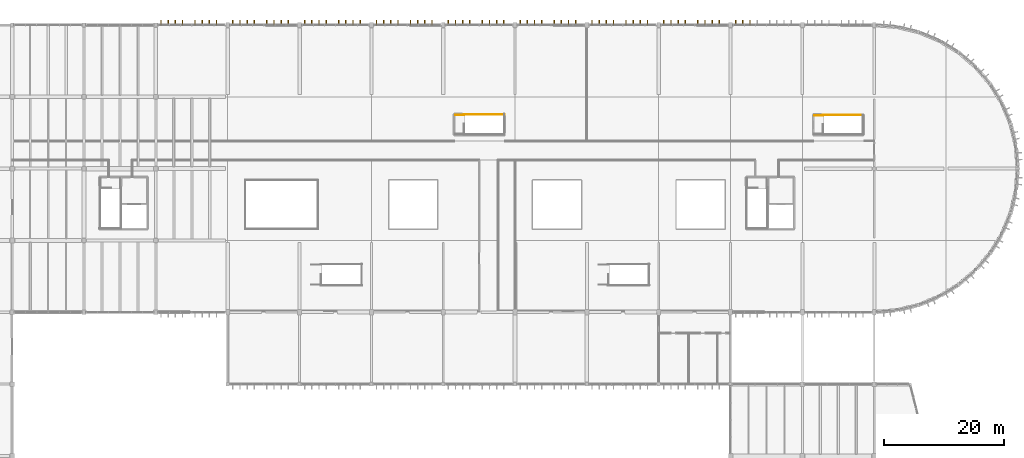
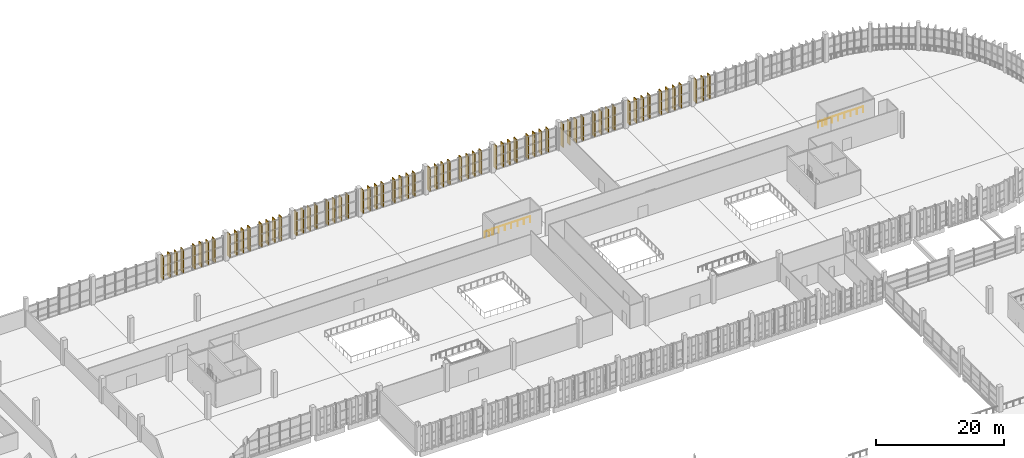
# One storey, part 111 of 112: 67 coverings, 4 railings.
"""IFC4 building model written with IfcOpenShell, lengths in metres."""

import ifcopenshell
import ifcopenshell.guid

model = None  # the IFC model being written
_history = None  # IfcOwnerHistory: only IFC2X3 demands one
_inside = {}  # id of a spatial element -> (the spatial element, [elements in it])
_under = {}  # id of a project, library or spatial element -> (it, [spatial elements below it])
_declared = {}  # id of a project -> (the project, [libraries it declares])
_typed = {}  # id of a type object -> (the type object, [elements of that type])
_made_of = {}  # id of a material, layer set ... -> (it, [elements and type objects made of it])


def new_model(schema):
    """Start an empty IFC model of exactly this schema.

    Asked for "IFC4X3", IfcOpenShell would pick the latest addendum, in which some entities
    have other attributes; the version numbers below select the first issue.
    IFC2X3 requires an IfcOwnerHistory on every rooted entity: one is made here for all.
    """
    global model, _history
    if schema == "IFC4X3":
        model = ifcopenshell.file(schema_version=(4, 3, 0, 0))
    else:
        model = ifcopenshell.file(schema=schema)
    _inside.clear()
    _under.clear()
    _declared.clear()
    _typed.clear()
    _made_of.clear()
    _history = None
    if model.schema == "IFC2X3":
        org = make("IfcOrganization", Name="unknown")
        user = make(
            "IfcPersonAndOrganization",
            ThePerson=make("IfcPerson", FamilyName="unknown"),
            TheOrganization=org,
        )
        app = make(
            "IfcApplication",
            ApplicationDeveloper=org,
            Version="unknown",
            ApplicationFullName="unknown",
            ApplicationIdentifier="unknown",
        )
        _history = make(
            "IfcOwnerHistory",
            OwningUser=user,
            OwningApplication=app,
            ChangeAction="ADDED",
            CreationDate=0,
        )
    return model


def make(cls, **values):
    """One entity of the class cls with the attributes given. An attribute that is None is left unset."""
    return model.create_entity(
        cls, **{name: value for name, value in values.items() if value is not None}
    )


def rooted(cls, **values):
    """An entity with a GlobalId (a new one), such as an element, a storey or a relation."""
    return make(cls, GlobalId=ifcopenshell.guid.new(), OwnerHistory=_history, **values)


def si_unit(unit_type, name, prefix=None):
    """IfcSIUnit, for example si_unit("LENGTHUNIT", "METRE", prefix="MILLI")."""
    return make("IfcSIUnit", UnitType=unit_type, Prefix=prefix, Name=name)


def assignment(units):
    """IfcUnitAssignment: the units of a project."""
    return None if units is None else make("IfcUnitAssignment", Units=units)


def point(xyz):
    """IfcCartesianPoint."""
    return None if xyz is None else make("IfcCartesianPoint", Coordinates=xyz)


def direction(xyz):
    """IfcDirection."""
    return None if xyz is None else make("IfcDirection", DirectionRatios=xyz)


def frame(location, z_axis=None, x_axis=None):
    """IfcAxis2Placement3D, a coordinate frame: its origin and axes. An axis left out is left unset."""
    return make(
        "IfcAxis2Placement3D",
        Location=point(location),
        Axis=direction(z_axis),
        RefDirection=direction(x_axis),
    )


def frame_2d(location, x_axis=None):
    """IfcAxis2Placement2D, a coordinate frame in the plane: its origin and x axis."""
    return make(
        "IfcAxis2Placement2D", Location=point(location), RefDirection=direction(x_axis)
    )


def origin():
    """The frame at (0, 0, 0) with its axes left unset."""
    return frame((0.0, 0.0, 0.0))


def origin_2d():
    """The frame at (0, 0) in the plane with its x axis left unset."""
    return frame_2d((0.0, 0.0))


def place(relative_to, where):
    """IfcLocalPlacement: puts the frame where relative to a parent placement (None: the world)."""
    return make(
        "IfcLocalPlacement", PlacementRelTo=relative_to, RelativePlacement=where
    )


def context(
    kind, dimensions, precision=None, world=None, true_north=None, identifier=None
):
    """IfcGeometricRepresentationContext, for example the 3D "Model" context."""
    return make(
        "IfcGeometricRepresentationContext",
        ContextIdentifier=identifier,
        ContextType=kind,
        CoordinateSpaceDimension=dimensions,
        Precision=precision,
        WorldCoordinateSystem=world,
        TrueNorth=true_north,
    )


def subcontext(parent, identifier, kind, view, scale=None):
    """IfcGeometricRepresentationSubContext, for example "Body" below "Model"."""
    return make(
        "IfcGeometricRepresentationSubContext",
        ContextIdentifier=identifier,
        ContextType=kind,
        ParentContext=parent,
        TargetScale=scale,
        TargetView=view,
    )


def project(units=None, contexts=None):
    """IfcProject with its units and contexts."""
    return rooted(
        "IfcProject",
        Name="project",
        RepresentationContexts=contexts,
        UnitsInContext=assignment(units),
    )


def spatial(cls, under=None, at=None, **own):
    """A site, building, storey or space (cls), placed at a placement, below another one or the project."""
    s = rooted(cls, ObjectPlacement=at, **own)
    if under is not None:
        _under.setdefault(under.id(), (under, []))[1].append(s)
    return s


def profile(cls, at=None, kind="AREA", **sizes):
    """A parametric profile (cls). Its sizes go by their IFC names, for example OverallWidth=200.0."""
    return make(cls, ProfileType=kind, Position=at, **sizes)


def rectangle(**sizes):
    """IfcRectangleProfileDef."""
    return profile("IfcRectangleProfileDef", **sizes)


def circle(**sizes):
    """IfcCircleProfileDef."""
    return profile("IfcCircleProfileDef", **sizes)


def extrude(swept, where, along, depth):
    """IfcExtrudedAreaSolid: the profile swept, set in the frame where, extruded along a direction by depth."""
    return make(
        "IfcExtrudedAreaSolid",
        SweptArea=swept,
        Position=where,
        ExtrudedDirection=direction(along),
        Depth=depth,
    )


def shape(context_of_items, identifier, shape_type, items):
    """IfcShapeRepresentation: the items that make up one representation, for example the "Body"."""
    return make(
        "IfcShapeRepresentation",
        ContextOfItems=context_of_items,
        RepresentationIdentifier=identifier,
        RepresentationType=shape_type,
        Items=items,
    )


def material(Name=None, Category=None):
    """IfcMaterial."""
    return make("IfcMaterial", Name=Name, Category=Category)


def layer(
    of_material, thickness, ventilated=None, Name=None, Category=None, Priority=None
):
    """IfcMaterialLayer: one layer of a wall or slab, of a material (None: an air gap)."""
    return make(
        "IfcMaterialLayer",
        Material=of_material,
        LayerThickness=thickness,
        IsVentilated=ventilated,
        Name=Name,
        Category=Category,
        Priority=Priority,
    )


def layer_set(layers, Name=None):
    """IfcMaterialLayerSet."""
    return make("IfcMaterialLayerSet", MaterialLayers=layers, LayerSetName=Name)


def made_of(thing, what):
    """Note that an element or type object is made of a material, layer set ...; save() writes the relation."""
    if what is not None:
        _made_of.setdefault(what.id(), (what, []))[1].append(thing)
    return thing


def type_object(cls, material=None, **own):
    """A type object (cls), such as IfcWallType, which elements share."""
    return made_of(rooted(cls, **own), material)


def element(
    cls,
    number,
    at=None,
    inside=None,
    cuts=None,
    type_object=None,
    material=None,
    context=None,
    identifier="Body",
    shape_type=None,
    held_by="IfcProductDefinitionShape",
    body=None,
    shapes=None,
    **own,
):
    """One element of the class cls, such as IfcWall. Its Tag is "e" and its number.

    at: its placement. inside: the storey or other place that contains it. cuts: it is an
    opening in that element (IfcRelVoidsElement). A single representation is given by context,
    identifier, shape_type and body (its items); several are given by shapes. held_by: the class
    of the entity that holds the representations. save() writes the other relations.
    """
    e = rooted(cls, Tag="e%d" % number, ObjectPlacement=at, **own)
    if body is not None:
        shapes = [shape(context, identifier, shape_type, body)]
    if shapes is not None:
        e.Representation = make(held_by, Representations=shapes)
    if inside is not None:
        _inside.setdefault(inside.id(), (inside, []))[1].append(e)
    if cuts is not None:
        rooted(
            "IfcRelVoidsElement", RelatingBuildingElement=cuts, RelatedOpeningElement=e
        )
    if type_object is not None:
        _typed.setdefault(type_object.id(), (type_object, []))[1].append(e)
    return made_of(e, material)


def aggregate(whole, parts):
    """IfcRelAggregates: a whole, such as a stair, and the parts it consists of."""
    return rooted("IfcRelAggregates", RelatingObject=whole, RelatedObjects=parts)


def save(model, path):
    """Write the relations noted so far, then the file.

    IfcRelAggregates (storeys below a building ...), IfcRelContainedInSpatialStructure (elements
    in a storey), IfcRelDefinesByType, IfcRelAssociatesMaterial and IfcRelDeclares: one each for
    every whole, place, type object, material and project.
    """
    for whole, parts in _under.values():
        aggregate(whole, parts)
    for where, things in _inside.values():
        rooted(
            "IfcRelContainedInSpatialStructure",
            RelatedElements=things,
            RelatingStructure=where,
        )
    for kind, things in _typed.values():
        rooted("IfcRelDefinesByType", RelatedObjects=things, RelatingType=kind)
    for what, things in _made_of.values():
        rooted("IfcRelAssociatesMaterial", RelatedObjects=things, RelatingMaterial=what)
    for by, libraries in _declared.values():
        rooted("IfcRelDeclares", RelatingContext=by, RelatedDefinitions=libraries)
    model.write(path)


model = new_model("IFC4")

# Units and contexts
model_context = context("Model", 3, precision=1e-05, world=origin(), true_north=direction((0.0, 1.0)))
body_context = subcontext(model_context, "Body", "Model", "MODEL_VIEW")
ifc_project = project(units=[si_unit("LENGTHUNIT", "METRE"), si_unit("AREAUNIT", "SQUARE_METRE"), si_unit("VOLUMEUNIT", "CUBIC_METRE"), si_unit("PLANEANGLEUNIT", "RADIAN"), si_unit("MASSUNIT", "GRAM", prefix="KILO")], contexts=[model_context])

# Site, building, storey
site_placement = place(None, origin())
site = spatial("IfcSite", under=ifc_project, at=site_placement, CompositionType="ELEMENT")
building_placement = place(site_placement, origin())
building = spatial("IfcBuilding", under=site, at=building_placement, Name="Kamomehara Wholesale Market", CompositionType="ELEMENT")
storey_placement = place(building_placement, frame((0.0, 0.0, 6.60009765625)))
storey = spatial("IfcBuildingStorey", under=building, at=storey_placement, Name="L01", CompositionType="ELEMENT", Elevation=6.60009765625)

# Coverings
ifc_material_1 = material(Name="Anodised aluminium 6063-T5 Spectrum Red", Category="aluminium")
ifc_layer_1 = layer(ifc_material_1, 0.134033203125)
ifc_layer_set_1 = layer_set([ifc_layer_1], Name="Anodised aluminium 6063-T5 Spectrum Red")
covering_type_1 = type_object("IfcCoveringType", Name="COV-CLD-01", PredefinedType="CLADDING", material=ifc_layer_set_1)
for number, where, z_axis, x_axis, name in (
    (1, (60.85009765625, 156.405029296875, 0.0), (0.0, 0.0, 1.0), (1.0, 0.0, 0.0), "Polychrome spectrum fin N 1"),
    (2, (70.1298828125, 156.405029296875, 0.0), (0.0, 0.0, 1.0), (1.0, 0.0, 0.0), "Polychrome spectrum fin N 8"),
    (3, (79.72998046875, 156.405029296875, 0.0), (0.0, 0.0, 1.0), (1.0, 0.0, 0.0), "Polychrome spectrum fin N 22"),
    (4, (88.449951171875, 156.405029296875, 0.0), (0.0, 0.0, 1.0), (1.0, 0.0, 0.0), "Polychrome spectrum fin N 36"),
    (5, (98.050048828125, 156.405029296875, 0.0), (0.0, 0.0, 1.0), (1.0, 0.0, 0.0), "Polychrome spectrum fin N 50"),
    (6, (116.929931640625, 156.405029296875, 0.0), (0.0, 0.0, 1.0), (1.0, 0.0, 0.0), "Polychrome spectrum fin N 71"),
    (7, (126.530029296875, 156.405029296875, 0.0), (0.0, 0.0, 1.0), (1.0, 0.0, 0.0), "Polychrome spectrum fin N 85"),
    (8, (135.25, 156.405029296875, 0.0), (0.0, 0.0, 1.0), (1.0, 0.0, 0.0), "Polychrome spectrum fin N 99"),
    (9, (144.85009765625, 156.405029296875, 0.0), (0.0, 0.0, 1.0), (1.0, 0.0, 0.0), "Polychrome spectrum fin N 113"),
    (10, (154.1298828125, 156.405029296875, 0.0), (0.0, 0.0, 1.0), (1.0, 0.0, 0.0), "Polychrome spectrum fin N 120"),
):
    element("IfcCovering", number, at=place(storey_placement, frame(where, z_axis=z_axis, x_axis=x_axis)), inside=storey, type_object=covering_type_1, Name=name, PredefinedType="CLADDING", context=body_context, shape_type="SweptSolid", body=[
        extrude(rectangle(XDim=0.134033203125, YDim=0.85009765625, at=origin_2d()), origin(), (0.0, 0.0, 1.0), 4.5),
    ])
ifc_material_2 = material(Name="Anodised aluminium 6063-T5 Spectrum Orange", Category="aluminium")
ifc_layer_2 = layer(ifc_material_2, 0.135986328125)
ifc_layer_set_2 = layer_set([ifc_layer_2], Name="Anodised aluminium 6063-T5 Spectrum Orange")
covering_type_2 = type_object("IfcCoveringType", Name="COV-CLD-02", PredefinedType="CLADDING", material=ifc_layer_set_2)
for number, where, z_axis, x_axis, name in (
    (11, (62.050048828125, 156.405029296875, 0.0), (0.0, 0.0, 1.0), (1.0, 0.0, 0.0), "Polychrome spectrum fin N 2"),
    (12, (80.929931640625, 156.405029296875, 0.0), (0.0, 0.0, 1.0), (1.0, 0.0, 0.0), "Polychrome spectrum fin N 23"),
    (13, (90.530029296875, 156.405029296875, 0.0), (0.0, 0.0, 1.0), (1.0, 0.0, 0.0), "Polychrome spectrum fin N 37"),
    (14, (99.25, 156.405029296875, 0.0), (0.0, 0.0, 1.0), (1.0, 0.0, 0.0), "Polychrome spectrum fin N 51"),
    (15, (108.85009765625, 156.405029296875, 0.0), (0.0, 0.0, 1.0), (1.0, 0.0, 0.0), "Polychrome spectrum fin N 65"),
    (16, (118.1298828125, 156.405029296875, 0.0), (0.0, 0.0, 1.0), (1.0, 0.0, 0.0), "Polychrome spectrum fin N 72"),
    (17, (127.72998046875, 156.405029296875, 0.0), (0.0, 0.0, 1.0), (1.0, 0.0, 0.0), "Polychrome spectrum fin N 86"),
    (18, (136.449951171875, 156.405029296875, 0.0), (0.0, 0.0, 1.0), (1.0, 0.0, 0.0), "Polychrome spectrum fin N 100"),
    (19, (146.050048828125, 156.405029296875, 0.0), (0.0, 0.0, 1.0), (1.0, 0.0, 0.0), "Polychrome spectrum fin N 114"),
):
    element("IfcCovering", number, at=place(storey_placement, frame(where, z_axis=z_axis, x_axis=x_axis)), inside=storey, type_object=covering_type_2, Name=name, PredefinedType="CLADDING", context=body_context, shape_type="SweptSolid", body=[
        extrude(rectangle(XDim=0.135986328125, YDim=0.85009765625, at=origin_2d()), origin(), (0.0, 0.0, 1.0), 4.5),
    ])
ifc_material_3 = material(Name="Anodised aluminium 6063-T5 Spectrum Amber", Category="aluminium")
ifc_layer_3 = layer(ifc_material_3, 0.137939453125)
ifc_layer_set_3 = layer_set([ifc_layer_3], Name="Anodised aluminium 6063-T5 Spectrum Amber")
covering_type_3 = type_object("IfcCoveringType", Name="COV-CLD-03", PredefinedType="CLADDING", material=ifc_layer_set_3)
for number, where, z_axis, x_axis, name in (
    (20, (63.25, 156.405029296875, 0.0), (0.0, 0.0, 1.0), (1.0, 0.0, 0.0), "Polychrome spectrum fin N 3"),
    (21, (72.85009765625, 156.405029296875, 0.0), (0.0, 0.0, 1.0), (1.0, 0.0, 0.0), "Polychrome spectrum fin N 17"),
    (22, (82.1298828125, 156.405029296875, 0.0), (0.0, 0.0, 1.0), (1.0, 0.0, 0.0), "Polychrome spectrum fin N 24"),
    (23, (91.72998046875, 156.405029296875, 0.0), (0.0, 0.0, 1.0), (1.0, 0.0, 0.0), "Polychrome spectrum fin N 38"),
    (24, (100.449951171875, 156.405029296875, 0.0), (0.0, 0.0, 1.0), (1.0, 0.0, 0.0), "Polychrome spectrum fin N 52"),
    (25, (110.050048828125, 156.405029296875, 0.0), (0.0, 0.0, 1.0), (1.0, 0.0, 0.0), "Polychrome spectrum fin N 66"),
    (26, (128.929931640625, 156.405029296875, 0.0), (0.0, 0.0, 1.0), (1.0, 0.0, 0.0), "Polychrome spectrum fin N 87"),
    (27, (138.530029296875, 156.405029296875, 0.0), (0.0, 0.0, 1.0), (1.0, 0.0, 0.0), "Polychrome spectrum fin N 101"),
    (28, (147.25, 156.405029296875, 0.0), (0.0, 0.0, 1.0), (1.0, 0.0, 0.0), "Polychrome spectrum fin N 115"),
    (29, (156.85009765625, 156.405029296875, 0.0), (0.0, 0.0, 1.0), (1.0, 0.0, 0.0), "Polychrome spectrum fin N 129"),
):
    element("IfcCovering", number, at=place(storey_placement, frame(where, z_axis=z_axis, x_axis=x_axis)), inside=storey, type_object=covering_type_3, Name=name, PredefinedType="CLADDING", context=body_context, shape_type="SweptSolid", body=[
        extrude(rectangle(XDim=0.137939453125, YDim=0.85009765625, at=origin_2d()), origin(), (0.0, 0.0, 1.0), 4.5),
    ])
ifc_material_4 = material(Name="Anodised aluminium 6063-T5 Spectrum Green", Category="aluminium")
ifc_layer_4 = layer(ifc_material_4, 0.139892578125)
ifc_layer_set_4 = layer_set([ifc_layer_4], Name="Anodised aluminium 6063-T5 Spectrum Green")
covering_type_4 = type_object("IfcCoveringType", Name="COV-CLD-04", PredefinedType="CLADDING", material=ifc_layer_set_4)
for number, where, z_axis, x_axis, name in (
    (30, (64.449951171875, 156.405029296875, 0.0), (0.0, 0.0, 1.0), (1.0, 0.0, 0.0), "Polychrome spectrum fin N 4"),
    (31, (74.050048828125, 156.405029296875, 0.0), (0.0, 0.0, 1.0), (1.0, 0.0, 0.0), "Polychrome spectrum fin N 18"),
    (32, (92.929931640625, 156.405029296875, 0.0), (0.0, 0.0, 1.0), (1.0, 0.0, 0.0), "Polychrome spectrum fin N 39"),
    (33, (102.530029296875, 156.405029296875, 0.0), (0.0, 0.0, 1.0), (1.0, 0.0, 0.0), "Polychrome spectrum fin N 53"),
    (34, (111.25, 156.405029296875, 0.0), (0.0, 0.0, 1.0), (1.0, 0.0, 0.0), "Polychrome spectrum fin N 67"),
    (35, (120.85009765625, 156.405029296875, 0.0), (0.0, 0.0, 1.0), (1.0, 0.0, 0.0), "Polychrome spectrum fin N 81"),
    (36, (130.1298828125, 156.405029296875, 0.0), (0.0, 0.0, 1.0), (1.0, 0.0, 0.0), "Polychrome spectrum fin N 88"),
    (37, (139.72998046875, 156.405029296875, 0.0), (0.0, 0.0, 1.0), (1.0, 0.0, 0.0), "Polychrome spectrum fin N 102"),
    (38, (148.449951171875, 156.405029296875, 0.0), (0.0, 0.0, 1.0), (1.0, 0.0, 0.0), "Polychrome spectrum fin N 116"),
    (39, (158.050048828125, 156.405029296875, 0.0), (0.0, 0.0, 1.0), (1.0, 0.0, 0.0), "Polychrome spectrum fin N 130"),
):
    element("IfcCovering", number, at=place(storey_placement, frame(where, z_axis=z_axis, x_axis=x_axis)), inside=storey, type_object=covering_type_4, Name=name, PredefinedType="CLADDING", context=body_context, shape_type="SweptSolid", body=[
        extrude(rectangle(XDim=0.139892578125, YDim=0.85009765625, at=origin_2d()), origin(), (0.0, 0.0, 1.0), 4.5),
    ])
ifc_material_5 = material(Name="Anodised aluminium 6063-T5 Spectrum Cyan", Category="aluminium")
ifc_layer_5 = layer(ifc_material_5, 0.14208984375)
ifc_layer_set_5 = layer_set([ifc_layer_5], Name="Anodised aluminium 6063-T5 Spectrum Cyan")
covering_type_5 = type_object("IfcCoveringType", Name="COV-CLD-05", PredefinedType="CLADDING", material=ifc_layer_set_5)
for number, where, z_axis, x_axis, name in (
    (40, (66.530029296875, 156.405029296875, 0.0), (0.0, 0.0, 1.0), (1.0, 0.0, 0.0), "Polychrome spectrum fin N 5"),
    (41, (75.25, 156.405029296875, 0.0), (0.0, 0.0, 1.0), (1.0, 0.0, 0.0), "Polychrome spectrum fin N 19"),
    (42, (84.85009765625, 156.405029296875, 0.0), (0.0, 0.0, 1.0), (1.0, 0.0, 0.0), "Polychrome spectrum fin N 33"),
    (43, (94.1298828125, 156.405029296875, 0.0), (0.0, 0.0, 1.0), (1.0, 0.0, 0.0), "Polychrome spectrum fin N 40"),
    (44, (103.72998046875, 156.405029296875, 0.0), (0.0, 0.0, 1.0), (1.0, 0.0, 0.0), "Polychrome spectrum fin N 54"),
    (45, (112.449951171875, 156.405029296875, 0.0), (0.0, 0.0, 1.0), (1.0, 0.0, 0.0), "Polychrome spectrum fin N 68"),
    (46, (122.050048828125, 156.405029296875, 0.0), (0.0, 0.0, 1.0), (1.0, 0.0, 0.0), "Polychrome spectrum fin N 82"),
    (47, (140.929931640625, 156.405029296875, 0.0), (0.0, 0.0, 1.0), (1.0, 0.0, 0.0), "Polychrome spectrum fin N 103"),
    (48, (150.530029296875, 156.405029296875, 0.0), (0.0, 0.0, 1.0), (1.0, 0.0, 0.0), "Polychrome spectrum fin N 117"),
    (49, (159.25, 156.405029296875, 0.0), (0.0, 0.0, 1.0), (1.0, 0.0, 0.0), "Polychrome spectrum fin N 131"),
):
    element("IfcCovering", number, at=place(storey_placement, frame(where, z_axis=z_axis, x_axis=x_axis)), inside=storey, type_object=covering_type_5, Name=name, PredefinedType="CLADDING", context=body_context, shape_type="SweptSolid", body=[
        extrude(rectangle(XDim=0.14208984375, YDim=0.85009765625, at=origin_2d()), origin(), (0.0, 0.0, 1.0), 4.5),
    ])
ifc_material_6 = material(Name="Anodised aluminium 6063-T5 Spectrum Blue", Category="aluminium")
ifc_layer_6 = layer(ifc_material_6, 0.14404296875)
ifc_layer_set_6 = layer_set([ifc_layer_6], Name="Anodised aluminium 6063-T5 Spectrum Blue")
covering_type_6 = type_object("IfcCoveringType", Name="COV-CLD-06", PredefinedType="CLADDING", material=ifc_layer_set_6)
for number, where, z_axis, x_axis, name in (
    (50, (67.72998046875, 156.405029296875, 0.0), (0.0, 0.0, 1.0), (1.0, 0.0, 0.0), "Polychrome spectrum fin N 6"),
    (51, (76.449951171875, 156.405029296875, 0.0), (0.0, 0.0, 1.0), (1.0, 0.0, 0.0), "Polychrome spectrum fin N 20"),
    (52, (86.050048828125, 156.405029296875, 0.0), (0.0, 0.0, 1.0), (1.0, 0.0, 0.0), "Polychrome spectrum fin N 34"),
    (53, (104.929931640625, 156.405029296875, 0.0), (0.0, 0.0, 1.0), (1.0, 0.0, 0.0), "Polychrome spectrum fin N 55"),
    (54, (114.530029296875, 156.405029296875, 0.0), (0.0, 0.0, 1.0), (1.0, 0.0, 0.0), "Polychrome spectrum fin N 69"),
    (55, (123.25, 156.405029296875, 0.0), (0.0, 0.0, 1.0), (1.0, 0.0, 0.0), "Polychrome spectrum fin N 83"),
    (56, (132.85009765625, 156.405029296875, 0.0), (0.0, 0.0, 1.0), (1.0, 0.0, 0.0), "Polychrome spectrum fin N 97"),
    (57, (142.1298828125, 156.405029296875, 0.0), (0.0, 0.0, 1.0), (1.0, 0.0, 0.0), "Polychrome spectrum fin N 104"),
    (58, (151.72998046875, 156.405029296875, 0.0), (0.0, 0.0, 1.0), (1.0, 0.0, 0.0), "Polychrome spectrum fin N 118"),
):
    element("IfcCovering", number, at=place(storey_placement, frame(where, z_axis=z_axis, x_axis=x_axis)), inside=storey, type_object=covering_type_6, Name=name, PredefinedType="CLADDING", context=body_context, shape_type="SweptSolid", body=[
        extrude(rectangle(XDim=0.14404296875, YDim=0.85009765625, at=origin_2d()), origin(), (0.0, 0.0, 1.0), 4.5),
    ])
ifc_material_7 = material(Name="Anodised aluminium 6063-T5 Spectrum Violet", Category="aluminium")
ifc_layer_7 = layer(ifc_material_7, 0.14599609375)
ifc_layer_set_7 = layer_set([ifc_layer_7], Name="Anodised aluminium 6063-T5 Spectrum Violet")
covering_type_7 = type_object("IfcCoveringType", Name="COV-CLD-07", PredefinedType="CLADDING", material=ifc_layer_set_7)
for number, where, z_axis, x_axis, name in (
    (59, (68.929931640625, 156.405029296875, 0.0), (0.0, 0.0, 1.0), (1.0, 0.0, 0.0), "Polychrome spectrum fin N 7"),
    (60, (78.530029296875, 156.405029296875, 0.0), (0.0, 0.0, 1.0), (1.0, 0.0, 0.0), "Polychrome spectrum fin N 21"),
    (61, (87.25, 156.405029296875, 0.0), (0.0, 0.0, 1.0), (1.0, 0.0, 0.0), "Polychrome spectrum fin N 35"),
    (62, (96.85009765625, 156.405029296875, 0.0), (0.0, 0.0, 1.0), (1.0, 0.0, 0.0), "Polychrome spectrum fin N 49"),
    (63, (106.1298828125, 156.405029296875, 0.0), (0.0, 0.0, 1.0), (1.0, 0.0, 0.0), "Polychrome spectrum fin N 56"),
    (64, (115.72998046875, 156.405029296875, 0.0), (0.0, 0.0, 1.0), (1.0, 0.0, 0.0), "Polychrome spectrum fin N 70"),
    (65, (124.449951171875, 156.405029296875, 0.0), (0.0, 0.0, 1.0), (1.0, 0.0, 0.0), "Polychrome spectrum fin N 84"),
    (66, (134.050048828125, 156.405029296875, 0.0), (0.0, 0.0, 1.0), (1.0, 0.0, 0.0), "Polychrome spectrum fin N 98"),
    (67, (152.929931640625, 156.405029296875, 0.0), (0.0, 0.0, 1.0), (1.0, 0.0, 0.0), "Polychrome spectrum fin N 119"),
):
    element("IfcCovering", number, at=place(storey_placement, frame(where, z_axis=z_axis, x_axis=x_axis)), inside=storey, type_object=covering_type_7, Name=name, PredefinedType="CLADDING", context=body_context, shape_type="SweptSolid", body=[
        extrude(rectangle(XDim=0.14599609375, YDim=0.85009765625, at=origin_2d()), origin(), (0.0, 0.0, 1.0), 4.5),
    ])

# Railings
ifc_material_8 = material(Name="Steel SN400B", Category="steel")
railing_type = type_object("IfcRailingType", Name="RAL-INT-1100", PredefinedType="BALUSTRADE", material=ifc_material_8)
railing_1_placement = place(storey_placement, frame((111.429931640625, 141.06005859375, 0.0)))
element("IfcRailing", 68, at=railing_1_placement, inside=storey, type_object=railing_type, Name="L01 ST-13 top well guard 3", PredefinedType="BALUSTRADE", context=body_context, shape_type="SweptSolid", body=[
    extrude(circle(Radius=0.02392578125, at=origin_2d()), frame((0.0, 0.0, 1.09619140625), z_axis=(1.0, 0.0, 0.0), x_axis=(0.0, 1.0, 0.0)), (0.0, 0.0, 1.0), 6.830078125),
    extrude(circle(Radius=0.02099609375, at=origin_2d()), origin(), (0.0, 0.0, 1.0), 1.072021484375),
    extrude(circle(Radius=0.02099609375, at=origin_2d()), frame((1.138427734375, 0.0, 0.0)), (0.0, 0.0, 1.0), 1.072021484375),
    extrude(circle(Radius=0.02099609375, at=origin_2d()), frame((2.276611328125, 0.0, 0.0)), (0.0, 0.0, 1.0), 1.072021484375),
    extrude(circle(Radius=0.02099609375, at=origin_2d()), frame((3.4150390625, 0.0, 0.0)), (0.0, 0.0, 1.0), 1.072021484375),
    extrude(circle(Radius=0.02099609375, at=origin_2d()), frame((4.553466796875, 0.0, 0.0)), (0.0, 0.0, 1.0), 1.072021484375),
    extrude(circle(Radius=0.02099609375, at=origin_2d()), frame((5.691650390625, 0.0, 0.0)), (0.0, 0.0, 1.0), 1.072021484375),
    extrude(circle(Radius=0.02099609375, at=origin_2d()), frame((6.830078125, 0.0, 0.0)), (0.0, 0.0, 1.0), 1.072021484375),
])
railing_2_placement = place(storey_placement, frame((110.0, 140.9599609375, 0.0)))
element("IfcRailing", 69, at=railing_2_placement, inside=storey, type_object=railing_type, Name="L01 ST-13 top well guard 6", PredefinedType="BALUSTRADE", context=body_context, shape_type="SweptSolid", body=[
    extrude(circle(Radius=0.02392578125, at=origin_2d()), frame((0.0, 0.0, 1.09619140625), z_axis=(1.0, 0.0, 0.0), x_axis=(0.0, 1.0, 0.0)), (0.0, 0.0, 1.0), 1.530029296875),
    extrude(circle(Radius=0.02099609375, at=origin_2d()), origin(), (0.0, 0.0, 1.0), 1.072021484375),
    extrude(circle(Radius=0.02099609375, at=origin_2d()), frame((0.76513671875, 0.0, 0.0)), (0.0, 0.0, 1.0), 1.072021484375),
    extrude(circle(Radius=0.02099609375, at=origin_2d()), frame((1.530029296875, 0.0, 0.0)), (0.0, 0.0, 1.0), 1.072021484375),
])
railing_3_placement = place(storey_placement, frame((171.385009765625, 140.969970703125, 0.0)))
element("IfcRailing", 70, at=railing_3_placement, inside=storey, type_object=railing_type, Name="L01 ST-14 top well guard 3", PredefinedType="BALUSTRADE", context=body_context, shape_type="SweptSolid", body=[
    extrude(circle(Radius=0.02392578125, at=origin_2d()), frame((0.0, 0.0, 1.09619140625), z_axis=(1.0, 0.0, 0.0), x_axis=(0.0, 1.0, 0.0)), (0.0, 0.0, 1.0), 6.784912109375),
    extrude(circle(Radius=0.02099609375, at=origin_2d()), origin(), (0.0, 0.0, 1.0), 1.072021484375),
    extrude(circle(Radius=0.02099609375, at=origin_2d()), frame((1.130859375, 0.0, 0.0)), (0.0, 0.0, 1.0), 1.072021484375),
    extrude(circle(Radius=0.02099609375, at=origin_2d()), frame((2.26171875, 0.0, 0.0)), (0.0, 0.0, 1.0), 1.072021484375),
    extrude(circle(Radius=0.02099609375, at=origin_2d()), frame((3.392578125, 0.0, 0.0)), (0.0, 0.0, 1.0), 1.072021484375),
    extrude(circle(Radius=0.02099609375, at=origin_2d()), frame((4.523193359375, 0.0, 0.0)), (0.0, 0.0, 1.0), 1.072021484375),
    extrude(circle(Radius=0.02099609375, at=origin_2d()), frame((5.654052734375, 0.0, 0.0)), (0.0, 0.0, 1.0), 1.072021484375),
    extrude(circle(Radius=0.02099609375, at=origin_2d()), frame((6.784912109375, 0.0, 0.0)), (0.0, 0.0, 1.0), 1.072021484375),
])
railing_4_placement = place(storey_placement, frame((170.0, 140.8701171875, 0.0)))
element("IfcRailing", 71, at=railing_4_placement, inside=storey, type_object=railing_type, Name="L01 ST-14 top well guard 6", PredefinedType="BALUSTRADE", context=body_context, shape_type="SweptSolid", body=[
    extrude(circle(Radius=0.02392578125, at=origin_2d()), frame((0.0, 0.0, 1.09619140625), z_axis=(1.0, 0.0, 0.0), x_axis=(0.0, 1.0, 0.0)), (0.0, 0.0, 1.0), 1.485107421875),
    extrude(circle(Radius=0.02099609375, at=origin_2d()), origin(), (0.0, 0.0, 1.0), 1.072021484375),
    extrude(circle(Radius=0.02099609375, at=origin_2d()), frame((0.74267578125, 0.0, 0.0)), (0.0, 0.0, 1.0), 1.072021484375),
    extrude(circle(Radius=0.02099609375, at=origin_2d()), frame((1.485107421875, 0.0, 0.0)), (0.0, 0.0, 1.0), 1.072021484375),
])

save(model, "model.ifc")
